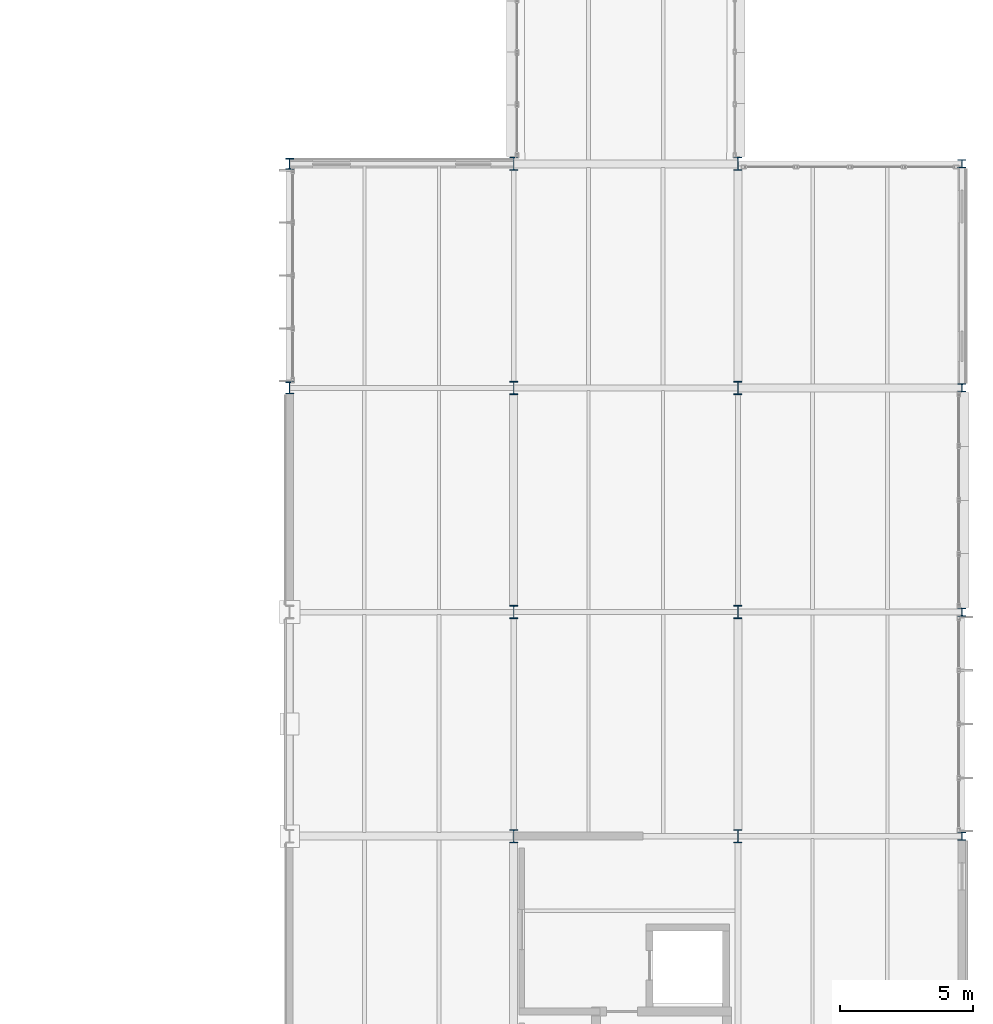
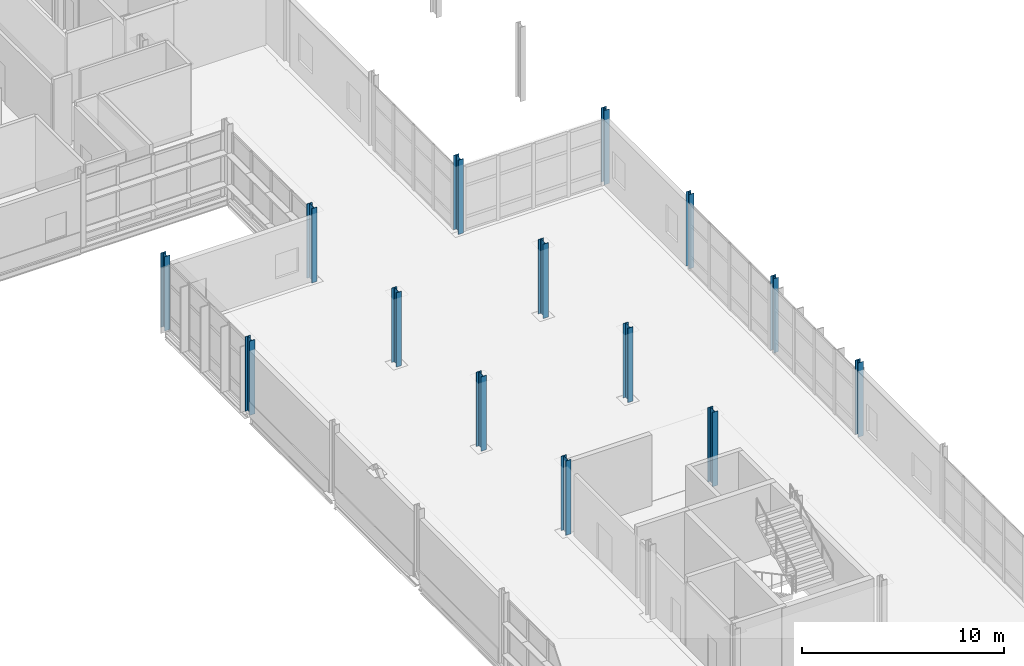
# One storey, part 16 of 129: 14 columns.
"""IFC4 building model written with IfcOpenShell, lengths in metres."""

import ifcopenshell
import ifcopenshell.guid

model = None  # the IFC model being written
_history = None  # IfcOwnerHistory: only IFC2X3 demands one
_inside = {}  # id of a spatial element -> (the spatial element, [elements in it])
_under = {}  # id of a project, library or spatial element -> (it, [spatial elements below it])
_declared = {}  # id of a project -> (the project, [libraries it declares])
_typed = {}  # id of a type object -> (the type object, [elements of that type])
_made_of = {}  # id of a material, layer set ... -> (it, [elements and type objects made of it])


def new_model(schema):
    """Start an empty IFC model of exactly this schema.

    Asked for "IFC4X3", IfcOpenShell would pick the latest addendum, in which some entities
    have other attributes; the version numbers below select the first issue.
    IFC2X3 requires an IfcOwnerHistory on every rooted entity: one is made here for all.
    """
    global model, _history
    if schema == "IFC4X3":
        model = ifcopenshell.file(schema_version=(4, 3, 0, 0))
    else:
        model = ifcopenshell.file(schema=schema)
    _inside.clear()
    _under.clear()
    _declared.clear()
    _typed.clear()
    _made_of.clear()
    _history = None
    if model.schema == "IFC2X3":
        org = make("IfcOrganization", Name="unknown")
        user = make(
            "IfcPersonAndOrganization",
            ThePerson=make("IfcPerson", FamilyName="unknown"),
            TheOrganization=org,
        )
        app = make(
            "IfcApplication",
            ApplicationDeveloper=org,
            Version="unknown",
            ApplicationFullName="unknown",
            ApplicationIdentifier="unknown",
        )
        _history = make(
            "IfcOwnerHistory",
            OwningUser=user,
            OwningApplication=app,
            ChangeAction="ADDED",
            CreationDate=0,
        )
    return model


def make(cls, **values):
    """One entity of the class cls with the attributes given. An attribute that is None is left unset."""
    return model.create_entity(
        cls, **{name: value for name, value in values.items() if value is not None}
    )


def rooted(cls, **values):
    """An entity with a GlobalId (a new one), such as an element, a storey or a relation."""
    return make(cls, GlobalId=ifcopenshell.guid.new(), OwnerHistory=_history, **values)


def si_unit(unit_type, name, prefix=None):
    """IfcSIUnit, for example si_unit("LENGTHUNIT", "METRE", prefix="MILLI")."""
    return make("IfcSIUnit", UnitType=unit_type, Prefix=prefix, Name=name)


def assignment(units):
    """IfcUnitAssignment: the units of a project."""
    return None if units is None else make("IfcUnitAssignment", Units=units)


def point(xyz):
    """IfcCartesianPoint."""
    return None if xyz is None else make("IfcCartesianPoint", Coordinates=xyz)


def direction(xyz):
    """IfcDirection."""
    return None if xyz is None else make("IfcDirection", DirectionRatios=xyz)


def frame(location, z_axis=None, x_axis=None):
    """IfcAxis2Placement3D, a coordinate frame: its origin and axes. An axis left out is left unset."""
    return make(
        "IfcAxis2Placement3D",
        Location=point(location),
        Axis=direction(z_axis),
        RefDirection=direction(x_axis),
    )


def frame_2d(location, x_axis=None):
    """IfcAxis2Placement2D, a coordinate frame in the plane: its origin and x axis."""
    return make(
        "IfcAxis2Placement2D", Location=point(location), RefDirection=direction(x_axis)
    )


def origin():
    """The frame at (0, 0, 0) with its axes left unset."""
    return frame((0.0, 0.0, 0.0))


def origin_2d():
    """The frame at (0, 0) in the plane with its x axis left unset."""
    return frame_2d((0.0, 0.0))


def place(relative_to, where):
    """IfcLocalPlacement: puts the frame where relative to a parent placement (None: the world)."""
    return make(
        "IfcLocalPlacement", PlacementRelTo=relative_to, RelativePlacement=where
    )


def context(
    kind, dimensions, precision=None, world=None, true_north=None, identifier=None
):
    """IfcGeometricRepresentationContext, for example the 3D "Model" context."""
    return make(
        "IfcGeometricRepresentationContext",
        ContextIdentifier=identifier,
        ContextType=kind,
        CoordinateSpaceDimension=dimensions,
        Precision=precision,
        WorldCoordinateSystem=world,
        TrueNorth=true_north,
    )


def subcontext(parent, identifier, kind, view, scale=None):
    """IfcGeometricRepresentationSubContext, for example "Body" below "Model"."""
    return make(
        "IfcGeometricRepresentationSubContext",
        ContextIdentifier=identifier,
        ContextType=kind,
        ParentContext=parent,
        TargetScale=scale,
        TargetView=view,
    )


def project(units=None, contexts=None):
    """IfcProject with its units and contexts."""
    return rooted(
        "IfcProject",
        Name="project",
        RepresentationContexts=contexts,
        UnitsInContext=assignment(units),
    )


def spatial(cls, under=None, at=None, **own):
    """A site, building, storey or space (cls), placed at a placement, below another one or the project."""
    s = rooted(cls, ObjectPlacement=at, **own)
    if under is not None:
        _under.setdefault(under.id(), (under, []))[1].append(s)
    return s


def profile(cls, at=None, kind="AREA", **sizes):
    """A parametric profile (cls). Its sizes go by their IFC names, for example OverallWidth=200.0."""
    return make(cls, ProfileType=kind, Position=at, **sizes)


def i_section(**sizes):
    """IfcIShapeProfileDef."""
    return profile("IfcIShapeProfileDef", **sizes)


def extrude(swept, where, along, depth):
    """IfcExtrudedAreaSolid: the profile swept, set in the frame where, extruded along a direction by depth."""
    return make(
        "IfcExtrudedAreaSolid",
        SweptArea=swept,
        Position=where,
        ExtrudedDirection=direction(along),
        Depth=depth,
    )


def shape(context_of_items, identifier, shape_type, items):
    """IfcShapeRepresentation: the items that make up one representation, for example the "Body"."""
    return make(
        "IfcShapeRepresentation",
        ContextOfItems=context_of_items,
        RepresentationIdentifier=identifier,
        RepresentationType=shape_type,
        Items=items,
    )


def material(Name=None, Category=None):
    """IfcMaterial."""
    return make("IfcMaterial", Name=Name, Category=Category)


def material_profile(
    of_material, cross_section, Name=None, Category=None, Priority=None
):
    """IfcMaterialProfile: a cross section and its material."""
    return make(
        "IfcMaterialProfile",
        Name=Name,
        Material=of_material,
        Profile=cross_section,
        Priority=Priority,
        Category=Category,
    )


def profile_set(profiles, Name=None, composite=None):
    """IfcMaterialProfileSet."""
    return make(
        "IfcMaterialProfileSet",
        Name=Name,
        MaterialProfiles=profiles,
        CompositeProfile=composite,
    )


def made_of(thing, what):
    """Note that an element or type object is made of a material, layer set ...; save() writes the relation."""
    if what is not None:
        _made_of.setdefault(what.id(), (what, []))[1].append(thing)
    return thing


def type_object(cls, material=None, **own):
    """A type object (cls), such as IfcWallType, which elements share."""
    return made_of(rooted(cls, **own), material)


def element(
    cls,
    number,
    at=None,
    inside=None,
    cuts=None,
    type_object=None,
    material=None,
    context=None,
    identifier="Body",
    shape_type=None,
    held_by="IfcProductDefinitionShape",
    body=None,
    shapes=None,
    **own,
):
    """One element of the class cls, such as IfcWall. Its Tag is "e" and its number.

    at: its placement. inside: the storey or other place that contains it. cuts: it is an
    opening in that element (IfcRelVoidsElement). A single representation is given by context,
    identifier, shape_type and body (its items); several are given by shapes. held_by: the class
    of the entity that holds the representations. save() writes the other relations.
    """
    e = rooted(cls, Tag="e%d" % number, ObjectPlacement=at, **own)
    if body is not None:
        shapes = [shape(context, identifier, shape_type, body)]
    if shapes is not None:
        e.Representation = make(held_by, Representations=shapes)
    if inside is not None:
        _inside.setdefault(inside.id(), (inside, []))[1].append(e)
    if cuts is not None:
        rooted(
            "IfcRelVoidsElement", RelatingBuildingElement=cuts, RelatedOpeningElement=e
        )
    if type_object is not None:
        _typed.setdefault(type_object.id(), (type_object, []))[1].append(e)
    return made_of(e, material)


def aggregate(whole, parts):
    """IfcRelAggregates: a whole, such as a stair, and the parts it consists of."""
    return rooted("IfcRelAggregates", RelatingObject=whole, RelatedObjects=parts)


def save(model, path):
    """Write the relations noted so far, then the file.

    IfcRelAggregates (storeys below a building ...), IfcRelContainedInSpatialStructure (elements
    in a storey), IfcRelDefinesByType, IfcRelAssociatesMaterial and IfcRelDeclares: one each for
    every whole, place, type object, material and project.
    """
    for whole, parts in _under.values():
        aggregate(whole, parts)
    for where, things in _inside.values():
        rooted(
            "IfcRelContainedInSpatialStructure",
            RelatedElements=things,
            RelatingStructure=where,
        )
    for kind, things in _typed.values():
        rooted("IfcRelDefinesByType", RelatedObjects=things, RelatingType=kind)
    for what, things in _made_of.values():
        rooted("IfcRelAssociatesMaterial", RelatedObjects=things, RelatingMaterial=what)
    for by, libraries in _declared.values():
        rooted("IfcRelDeclares", RelatingContext=by, RelatedDefinitions=libraries)
    model.write(path)


model = new_model("IFC4")

# Units and contexts
model_context = context("Model", 3, precision=1e-05, world=origin(), true_north=direction((0.0, 1.0)))
body_context = subcontext(model_context, "Body", "Model", "MODEL_VIEW")
ifc_project = project(units=[si_unit("LENGTHUNIT", "METRE"), si_unit("AREAUNIT", "SQUARE_METRE"), si_unit("VOLUMEUNIT", "CUBIC_METRE"), si_unit("PLANEANGLEUNIT", "RADIAN"), si_unit("MASSUNIT", "GRAM", prefix="KILO")], contexts=[model_context])

# Site, building, storey
site_placement = place(None, origin())
site = spatial("IfcSite", under=ifc_project, at=site_placement, CompositionType="ELEMENT")
building_placement = place(site_placement, origin())
building = spatial("IfcBuilding", under=site, at=building_placement, Name="Mersafa Astral City Hall", CompositionType="ELEMENT")
storey_placement = place(building_placement, frame((0.0, 0.0, 5.39990234375)))
storey = spatial("IfcBuildingStorey", under=building, at=storey_placement, Name="L01", CompositionType="ELEMENT", Elevation=5.39990234375)

# Columns
ifc_material = material(Name="Steel S355", Category="steel")
ifc_material_profile_1 = material_profile(ifc_material, i_section(OverallWidth=0.300048828125, OverallDepth=0.300048828125, WebThickness=0.010986328125, FlangeThickness=0.01904296875, FilletRadius=0.027099609375, at=origin_2d()), Name="HEB 300")
ifc_profile_set_1 = profile_set([ifc_material_profile_1], Name="Steel S355")
column_type_1 = type_object("IfcColumnType", Name="STR-COL-HEB300", PredefinedType="COLUMN", material=ifc_profile_set_1)
for number, where, z_axis, x_axis, name in (
    (1, (184.800048828125, 67.199951171875, 0.0), (0.0, 0.0, 1.0), (1.0, 0.0, 0.0), "L01 Structural column G-22-08"),
    (2, (184.800048828125, 75.60009765625, 0.0), (0.0, 0.0, 1.0), (1.0, 0.0, 0.0), "L01 Structural column G-22-09"),
    (3, (184.800048828125, 84.0, 0.0), (0.0, 0.0, 1.0), (1.0, 0.0, 0.0), "L01 Structural column G-22-10"),
    (4, (184.800048828125, 92.39990234375, 0.0), (0.0, 0.0, 1.0), (1.0, 0.0, 0.0), "L01 Structural column G-22-11"),
):
    element("IfcColumn", number, at=place(storey_placement, frame(where, z_axis=z_axis, x_axis=x_axis)), inside=storey, type_object=column_type_1, Name=name, PredefinedType="COLUMN", context=body_context, shape_type="SweptSolid", body=[
        extrude(i_section(OverallWidth=0.300048828125, OverallDepth=0.300048828125, WebThickness=0.010986328125, FlangeThickness=0.01904296875, FilletRadius=0.027099609375, at=origin_2d()), origin(), (0.0, 0.0, 1.0), 4.5),
    ])
ifc_material_profile_2 = material_profile(ifc_material, i_section(OverallWidth=0.300048828125, OverallDepth=0.39990234375, WebThickness=0.013427734375, FlangeThickness=0.02392578125, FilletRadius=0.027099609375, at=origin_2d()), Name="HEB 400")
ifc_profile_set_2 = profile_set([ifc_material_profile_2], Name="Steel S355")
column_type_2 = type_object("IfcColumnType", Name="STR-COL-HEB400", PredefinedType="COLUMN", material=ifc_profile_set_2)
column_1_placement = place(storey_placement, frame((159.60009765625, 92.39990234375, 0.0), z_axis=(0.0, 0.0, 1.0), x_axis=(1.0, 0.0, 0.0)))
element("IfcColumn", 5, at=column_1_placement, inside=storey, type_object=column_type_2, Name="L01 Structural column G-19-11", PredefinedType="COLUMN", context=body_context, shape_type="SweptSolid", body=[
    extrude(i_section(OverallWidth=0.300048828125, OverallDepth=0.39990234375, WebThickness=0.013427734375, FlangeThickness=0.02392578125, FilletRadius=0.027099609375, at=origin_2d()), origin(), (0.0, 0.0, 1.0), 4.5),
])
ifc_material_profile_3 = material_profile(ifc_material, i_section(OverallWidth=0.300048828125, OverallDepth=0.449951171875, WebThickness=0.013916015625, FlangeThickness=0.02587890625, FilletRadius=0.027099609375, at=origin_2d()), Name="HEB 450")
ifc_profile_set_3 = profile_set([ifc_material_profile_3], Name="Steel S355")
column_type_3 = type_object("IfcColumnType", Name="STR-COL-HEB450", PredefinedType="COLUMN", material=ifc_profile_set_3)
column_2_placement = place(storey_placement, frame((159.60009765625, 84.0, 0.0), z_axis=(0.0, 0.0, 1.0), x_axis=(1.0, 0.0, 0.0)))
element("IfcColumn", 6, at=column_2_placement, inside=storey, type_object=column_type_3, Name="L01 Structural column G-19-10", PredefinedType="COLUMN", context=body_context, shape_type="SweptSolid", body=[
    extrude(i_section(OverallWidth=0.300048828125, OverallDepth=0.449951171875, WebThickness=0.013916015625, FlangeThickness=0.02587890625, FilletRadius=0.027099609375, at=origin_2d()), origin(), (0.0, 0.0, 1.0), 4.5),
])
ifc_material_profile_4 = material_profile(ifc_material, i_section(OverallWidth=0.300048828125, OverallDepth=0.5, WebThickness=0.014404296875, FlangeThickness=0.028076171875, FilletRadius=0.027099609375, at=origin_2d()), Name="HEB 500")
ifc_profile_set_4 = profile_set([ifc_material_profile_4], Name="Steel S355")
column_type_4 = type_object("IfcColumnType", Name="STR-COL-HEB500", PredefinedType="COLUMN", material=ifc_profile_set_4)
for number, where, z_axis, x_axis, name in (
    (7, (168.0, 67.199951171875, 0.0), (0.0, 0.0, 1.0), (1.0, 0.0, 0.0), "L01 Structural column G-20-08"),
    (8, (168.0, 75.60009765625, 0.0), (0.0, 0.0, 1.0), (1.0, 0.0, 0.0), "L01 Structural column G-20-09"),
    (9, (168.0, 84.0, 0.0), (0.0, 0.0, 1.0), (1.0, 0.0, 0.0), "L01 Structural column G-20-10"),
    (10, (168.0, 92.39990234375, 0.0), (0.0, 0.0, 1.0), (1.0, 0.0, 0.0), "L01 Structural column G-20-11"),
    (11, (176.39990234375, 67.199951171875, 0.0), (0.0, 0.0, 1.0), (1.0, 0.0, 0.0), "L01 Structural column G-21-08"),
    (12, (176.39990234375, 75.60009765625, 0.0), (0.0, 0.0, 1.0), (1.0, 0.0, 0.0), "L01 Structural column G-21-09"),
    (13, (176.39990234375, 84.0, 0.0), (0.0, 0.0, 1.0), (1.0, 0.0, 0.0), "L01 Structural column G-21-10"),
    (14, (176.39990234375, 92.39990234375, 0.0), (0.0, 0.0, 1.0), (1.0, 0.0, 0.0), "L01 Structural column G-21-11"),
):
    element("IfcColumn", number, at=place(storey_placement, frame(where, z_axis=z_axis, x_axis=x_axis)), inside=storey, type_object=column_type_4, Name=name, PredefinedType="COLUMN", context=body_context, shape_type="SweptSolid", body=[
        extrude(i_section(OverallWidth=0.300048828125, OverallDepth=0.5, WebThickness=0.014404296875, FlangeThickness=0.028076171875, FilletRadius=0.027099609375, at=origin_2d()), origin(), (0.0, 0.0, 1.0), 4.5),
    ])

save(model, "model.ifc")
